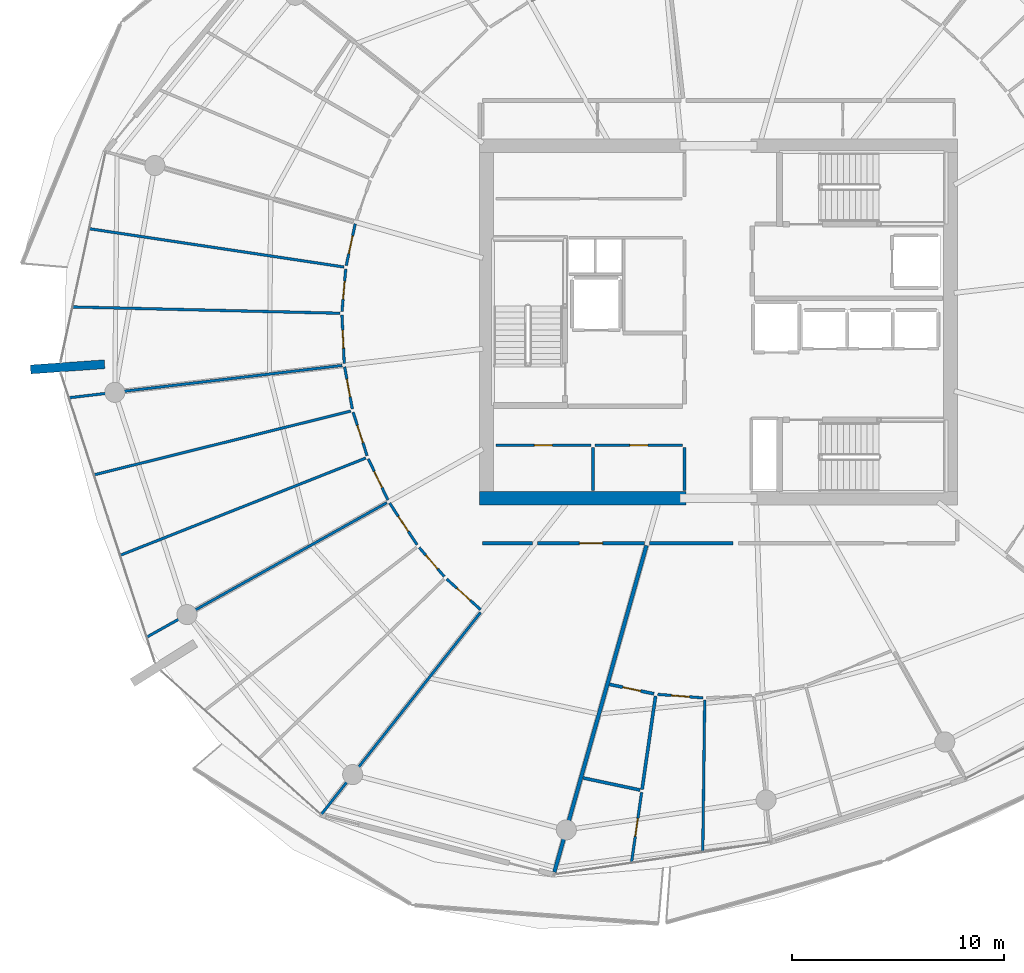
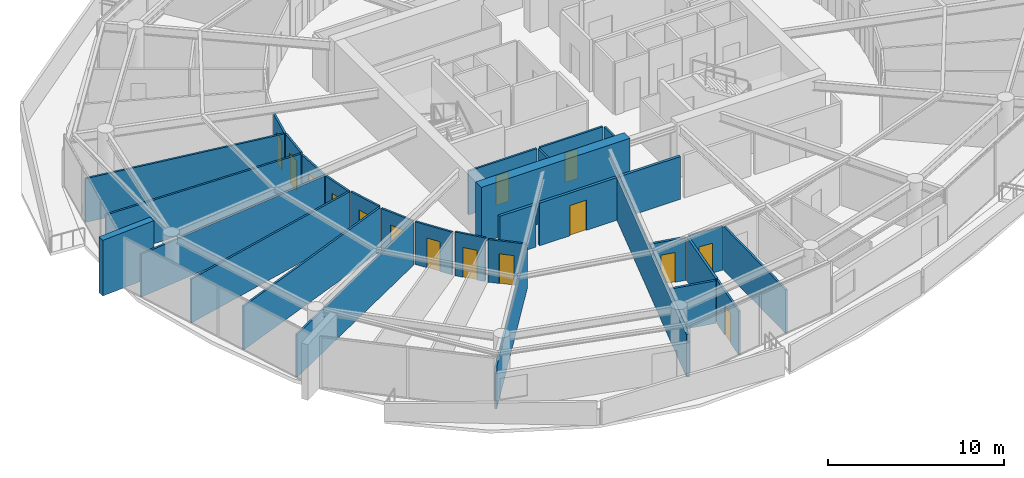
# One storey, part 18 of 30: 32 walls, 15 doors, 15 openings.
"""IFC4 building model written with IfcOpenShell, lengths in metres."""

from ifc_helpers import new_model, si_unit, direction, frame, frame_2d, origin, place, context, subcontext, project, spatial, rectangle, extrude, material, layer, layer_set, type_object, element, fill, save


model = new_model("IFC4")

# Units and contexts
model_context = context("Model", 3, precision=1e-05, world=origin(), true_north=direction((0.0, 1.0)))
body_context = subcontext(model_context, "Body", "Model", "MODEL_VIEW")
ifc_project = project(units=[si_unit("LENGTHUNIT", "METRE"), si_unit("AREAUNIT", "SQUARE_METRE"), si_unit("VOLUMEUNIT", "CUBIC_METRE"), si_unit("PLANEANGLEUNIT", "RADIAN"), si_unit("MASSUNIT", "GRAM", prefix="KILO")], contexts=[model_context])

# Site, building, storey
site_placement = place(None, origin())
site = spatial("IfcSite", under=ifc_project, at=site_placement, CompositionType="ELEMENT")
building_placement = place(site_placement, origin())
building = spatial("IfcBuilding", under=site, at=building_placement, Name="Kazma Halo Residences", CompositionType="ELEMENT")
storey_placement = place(building_placement, frame((0.0, 0.0, 267.5)))
storey = spatial("IfcBuildingStorey", under=building, at=storey_placement, Name="L67", CompositionType="ELEMENT", Elevation=267.5)

# Walls
ifc_material_1 = material(Name="Pale Concrete C60/75", Category="concrete")
ifc_layer_1 = layer(ifc_material_1, 0.419921875)
ifc_layer_set_1 = layer_set([ifc_layer_1], Name="Pale Concrete C60/75")
wall_type_1 = type_object("IfcWallType", Name="WL-BLADE-420", PredefinedType="SOLIDWALL", material=ifc_layer_set_1)
wall_1_placement = place(storey_placement, frame((19.4375, 40.002685546875, 0.0), z_axis=(0.0, 0.0, 1.0), x_axis=(-0.997563824095, -0.069759707979, 0.0)))
element("IfcWall", 1, at=wall_1_placement, inside=storey, type_object=wall_type_1, Name="L67 pale concrete structural blade fin wall BW-02", PredefinedType="SOLIDWALL", context=body_context, shape_type="SweptSolid", body=[
    extrude(rectangle(XDim=3.499755859375, YDim=0.419921875, at=frame_2d((1.75, 0.0))), origin(), (0.0, 0.0, 1.0), 3.85009765625),
])
ifc_material_2 = material(Name="Concrete C60/75", Category="concrete")
ifc_layer_2 = layer(ifc_material_2, 0.64990234375)
ifc_layer_set_2 = layer_set([ifc_layer_2], Name="Concrete C60/75")
wall_type_2 = type_object("IfcWallType", Name="WL-CORE-650", PredefinedType="SHEAR", material=ifc_layer_set_2)
wall_2_placement = place(storey_placement, frame((37.14990234375, 33.675048828125, 0.0), z_axis=(0.0, 0.0, 1.0), x_axis=(1.0, 0.0, 0.0)))
element("IfcWall", 2, at=wall_2_placement, inside=storey, type_object=wall_type_2, Name="L67 central core shear wall SW", PredefinedType="SHEAR", context=body_context, shape_type="SweptSolid", body=[
    extrude(rectangle(XDim=9.75, YDim=0.64990234375, at=frame_2d((4.875, 0.0))), origin(), (0.0, 0.0, 1.0), 3.85009765625),
])
ifc_material_3 = material(Name="Acoustic Twin-Stud Gypsum")
ifc_layer_3 = layer(ifc_material_3, 0.179931640625)
ifc_layer_set_3 = layer_set([ifc_layer_3], Name="Acoustic Twin-Stud Gypsum")
wall_type_3 = type_object("IfcWallType", Name="WL-DEM-180", PredefinedType="PARTITIONING", material=ifc_layer_set_3)
wall_3_placement = place(storey_placement, frame((45.02294921875, 31.444091796875, 0.0), z_axis=(0.0, 0.0, 1.0), x_axis=(-0.271442063103, -0.962454781472, 0.0)))
element("IfcWall", 3, at=wall_3_placement, inside=storey, type_object=wall_type_3, Name="L67 apartment demising radial wall 10", PredefinedType="PARTITIONING", context=body_context, shape_type="SweptSolid", body=[
    extrude(rectangle(XDim=16.016845703125, YDim=0.179931640625, at=frame_2d((8.00830078125, 0.0))), origin(), (0.0, 0.0, 1.0), 2.95703125),
])

# Wall, opening, door
wall_4_placement = place(storey_placement, frame((39.8818359375, 31.550048828125, 0.0), z_axis=(0.0, 0.0, 1.0), x_axis=(1.0, 0.0, 0.0)))
wall_4 = element("IfcWall", 4, at=wall_4_placement, inside=storey, type_object=wall_type_3, Name="L67 Apartment 1 entrance corridor wall", PredefinedType="PARTITIONING", context=body_context, shape_type="SweptSolid", body=[
    extrude(rectangle(XDim=5.051025390625, YDim=0.179931640625, at=frame_2d((2.525390625, 0.0))), origin(), (0.0, 0.0, 1.0), 2.95703125),
])
opening_1_placement = place(wall_4_placement, frame((1.975341796875, 0.0, 0.0)))
opening_1 = element("IfcOpeningElement", 5, at=opening_1_placement, cuts=wall_4, Name="Opening DA-1100", PredefinedType="OPENING", context=body_context, shape_type="SweptSolid", body=[
    extrude(rectangle(XDim=1.10009765625, YDim=2.10009765625, at=frame_2d((0.550048828125, 1.050048828125))), frame((0.0, 0.099853515625, 0.0), z_axis=(0.0, -1.0, 0.0), x_axis=(1.0, 0.0, 0.0)), (0.0, 0.0, 1.0), 0.199951171875),
])
ifc_material_4 = material(Name="Acoustic Walnut Fire Leaf")
door_type_1 = type_object("IfcDoorType", Name="DR-FD60-1100", OperationType="NOTDEFINED", PredefinedType="DOOR", material=ifc_material_4)
door_1_placement = place(opening_1_placement, origin())
door_1 = element("IfcDoor", 6, at=door_1_placement, inside=storey, type_object=door_type_1, Name="L67 Apartment 1 entrance fire door", OperationType="SINGLE_SWING_LEFT", OverallHeight=2.10009765625, OverallWidth=1.10009765625, PredefinedType="DOOR", context=body_context, shape_type="SweptSolid", body=[
    extrude(rectangle(XDim=1.10009765625, YDim=2.10009765625, at=frame_2d((0.550048828125, 1.050048828125))), frame((0.0, 0.02490234375, 0.0), z_axis=(0.0, -1.0, 0.0), x_axis=(1.0, 0.0, 0.0)), (0.0, 0.0, 1.0), 0.050048828125),
])
fill(opening_1, door_1)

# Walls
wall_5_placement = place(storey_placement, frame((37.27001953125, 31.550048828125, 0.0), z_axis=(0.0, 0.0, 1.0), x_axis=(1.0, 0.0, 0.0)))
element("IfcWall", 7, at=wall_5_placement, inside=storey, type_object=wall_type_3, Name="L67 Apartment 1 inner wall 8", PredefinedType="PARTITIONING", context=body_context, shape_type="SweptSolid", body=[
    extrude(rectangle(XDim=2.371826171875, YDim=0.179931640625, at=frame_2d((1.18603515625, 0.0))), origin(), (0.0, 0.0, 1.0), 2.95703125),
])
wall_6_placement = place(storey_placement, frame((45.1728515625, 31.550048828125, 0.0), z_axis=(0.0, 0.0, 1.0), x_axis=(1.0, 0.0, 0.0)))
element("IfcWall", 8, at=wall_6_placement, inside=storey, type_object=wall_type_3, Name="L67 Apartment 2 inner wall 10", PredefinedType="PARTITIONING", context=body_context, shape_type="SweptSolid", body=[
    extrude(rectangle(XDim=3.94384765625, YDim=0.179931640625, at=frame_2d((1.971923828125, 0.0))), origin(), (0.0, 0.0, 1.0), 2.95703125),
])
ifc_material_5 = material(Name="Gypsum Plasterboard Partition")
ifc_layer_4 = layer(ifc_material_5, 0.125)
ifc_layer_set_4 = layer_set([ifc_layer_4], Name="Gypsum Plasterboard Partition")
wall_type_4 = type_object("IfcWallType", Name="WL-PART-125", PredefinedType="PARTITIONING", material=ifc_layer_set_4)
for number, where, z_axis, x_axis, name in (
    (9, (46.820068359375, 34.050048828125, 0.0), (0.0, 0.0, 1.0), (0.0, 1.0, 0.0), "L67 reclaimed south east wall"),
    (10, (42.5, 34.050048828125, 0.0), (0.0, 0.0, 1.0), (0.0, 1.0, 0.0), "L67 reclaimed south divider wall"),
):
    element("IfcWall", number, at=place(storey_placement, frame(where, z_axis=z_axis, x_axis=x_axis)), inside=storey, type_object=wall_type_4, Name=name, PredefinedType="PARTITIONING", context=body_context, shape_type="SweptSolid", body=[
        extrude(rectangle(XDim=2.030029296875, YDim=0.125, at=frame_2d((1.01513671875, 0.0))), origin(), (0.0, 0.0, 1.0), 3.030029296875),
    ])

# Wall, opening, door
wall_7_placement = place(storey_placement, frame((37.919921875, 36.179931640625, 0.0), z_axis=(0.0, 0.0, 1.0), x_axis=(1.0, 0.0, 0.0)))
wall_7 = element("IfcWall", 11, at=wall_7_placement, inside=storey, type_object=wall_type_4, Name="L67 reclaimed south W front wall", PredefinedType="PARTITIONING", context=body_context, shape_type="SweptSolid", body=[
    extrude(rectangle(XDim=4.47998046875, YDim=0.125, at=frame_2d((2.239990234375, 0.0))), origin(), (0.0, 0.0, 1.0), 3.030029296875),
])
opening_2_placement = place(wall_7_placement, frame((1.81494140625, 0.0, 0.0)))
opening_2 = element("IfcOpeningElement", 12, at=opening_2_placement, cuts=wall_7, Name="Opening DS-850", PredefinedType="OPENING", context=body_context, shape_type="SweptSolid", body=[
    extrude(rectangle(XDim=0.85009765625, YDim=2.06005859375, at=frame_2d((0.425048828125, 1.030029296875))), frame((0.0, 0.072509765625, 0.0), z_axis=(0.0, -1.0, 0.0), x_axis=(1.0, 0.0, 0.0)), (0.0, 0.0, 1.0), 0.14501953125),
])
ifc_material_6 = material(Name="Painted Steel Access Leaf", Category="steel")
door_type_2 = type_object("IfcDoorType", Name="DR-SVC-850", OperationType="NOTDEFINED", PredefinedType="DOOR", material=ifc_material_6)
door_2_placement = place(opening_2_placement, origin())
door_2 = element("IfcDoor", 13, at=door_2_placement, inside=storey, type_object=door_type_2, Name="L67 reclaimed south W door", OperationType="SINGLE_SWING_RIGHT", OverallHeight=2.06005859375, OverallWidth=0.85009765625, PredefinedType="DOOR", context=body_context, shape_type="SweptSolid", body=[
    extrude(rectangle(XDim=0.85009765625, YDim=2.06005859375, at=frame_2d((0.425048828125, 1.030029296875))), frame((0.0, 0.02490234375, 0.0), z_axis=(0.0, -1.0, 0.0), x_axis=(1.0, 0.0, 0.0)), (0.0, 0.0, 1.0), 0.050048828125),
])
fill(opening_2, door_2)

wall_8_placement = place(storey_placement, frame((42.60009765625, 36.179931640625, 0.0), z_axis=(0.0, 0.0, 1.0), x_axis=(1.0, 0.0, 0.0)))
wall_8 = element("IfcWall", 14, at=wall_8_placement, inside=storey, type_object=wall_type_4, Name="L67 reclaimed south E front wall", PredefinedType="PARTITIONING", context=body_context, shape_type="SweptSolid", body=[
    extrude(rectangle(XDim=4.119873046875, YDim=0.125, at=frame_2d((2.06005859375, 0.0))), origin(), (0.0, 0.0, 1.0), 3.030029296875),
])
opening_3_placement = place(wall_8_placement, frame((1.635009765625, 0.0, 0.0)))
opening_3 = element("IfcOpeningElement", 15, at=opening_3_placement, cuts=wall_8, Name="Opening DS-850", PredefinedType="OPENING", context=body_context, shape_type="SweptSolid", body=[
    extrude(rectangle(XDim=0.85009765625, YDim=2.06005859375, at=frame_2d((0.425048828125, 1.030029296875))), frame((0.0, 0.072509765625, 0.0), z_axis=(0.0, -1.0, 0.0), x_axis=(1.0, 0.0, 0.0)), (0.0, 0.0, 1.0), 0.14501953125),
])
door_3_placement = place(opening_3_placement, origin())
door_3 = element("IfcDoor", 16, at=door_3_placement, inside=storey, type_object=door_type_2, Name="L67 reclaimed south E door", OperationType="SINGLE_SWING_LEFT", OverallHeight=2.06005859375, OverallWidth=0.85009765625, PredefinedType="DOOR", context=body_context, shape_type="SweptSolid", body=[
    extrude(rectangle(XDim=0.85009765625, YDim=2.06005859375, at=frame_2d((0.425048828125, 1.030029296875))), frame((0.0, 0.02490234375, 0.0), z_axis=(0.0, -1.0, 0.0), x_axis=(1.0, 0.0, 0.0)), (0.0, 0.0, 1.0), 0.050048828125),
])
fill(opening_3, door_3)

# Walls
wall_9_placement = place(storey_placement, frame((30.739990234375, 44.594970703125, 0.0), z_axis=(0.0, 0.0, 1.0), x_axis=(-0.988886285118, 0.148673854813, 0.0)))
element("IfcWall", 17, at=wall_9_placement, inside=storey, type_object=wall_type_4, Name="L67 Apartment 1 bay wall 1 6", PredefinedType="PARTITIONING", context=body_context, shape_type="SweptSolid", body=[
    extrude(rectangle(XDim=12.138671875, YDim=0.125, at=frame_2d((6.0693359375, 0.0))), origin(), (0.0, 0.0, 1.0), 3.030029296875),
])
wall_10_placement = place(storey_placement, frame((30.55078125, 42.4111328125, 0.0), z_axis=(0.0, 0.0, 1.0), x_axis=(-0.999722360085, 0.023562740626, 0.0)))
element("IfcWall", 18, at=wall_10_placement, inside=storey, type_object=wall_type_4, Name="L67 Apartment 1 bay wall 2 6", PredefinedType="PARTITIONING", context=body_context, shape_type="SweptSolid", body=[
    extrude(rectangle(XDim=12.609619140625, YDim=0.125, at=frame_2d((6.3046875, 0.0))), origin(), (0.0, 0.0, 1.0), 3.030029296875),
])

# Wall, opening, door
wall_11_placement = place(storey_placement, frame((31.27099609375, 46.635009765625, 0.0), z_axis=(0.0, 0.0, 1.0), x_axis=(-0.210477911791, -0.97759861326, 0.0)))
wall_11 = element("IfcWall", 19, at=wall_11_placement, inside=storey, type_object=wall_type_4, Name="L67 Apartment 1 Inner Bedroom hall wall", PredefinedType="PARTITIONING", context=body_context, shape_type="SweptSolid", body=[
    extrude(rectangle(XDim=2.0205078125, YDim=0.125, at=frame_2d((1.01025390625, 0.0))), origin(), (0.0, 0.0, 1.0), 2.95703125),
])
opening_4_placement = place(wall_11_placement, frame((0.585205078125, 0.0, 0.0)))
opening_4 = element("IfcOpeningElement", 20, at=opening_4_placement, cuts=wall_11, Name="Opening DB-900", PredefinedType="OPENING", context=body_context, shape_type="SweptSolid", body=[
    extrude(rectangle(XDim=0.85009765625, YDim=2.06005859375, at=frame_2d((0.425048828125, 1.030029296875))), frame((0.0, 0.072509765625, 0.0), z_axis=(0.0, -1.0, 0.0), x_axis=(1.0, 0.0, 0.0)), (0.0, 0.0, 1.0), 0.14501953125),
])
ifc_material_7 = material(Name="Moisture-Sealed Timber Leaf", Category="wood")
door_type_3 = type_object("IfcDoorType", Name="DR-BTH-900", OperationType="NOTDEFINED", PredefinedType="DOOR", material=ifc_material_7)
door_4_placement = place(opening_4_placement, origin())
door_4 = element("IfcDoor", 21, at=door_4_placement, inside=storey, type_object=door_type_3, Name="L67 Apartment 1 Inner Bedroom door", OperationType="SINGLE_SWING_LEFT", OverallHeight=2.06005859375, OverallWidth=0.85009765625, PredefinedType="DOOR", context=body_context, shape_type="SweptSolid", body=[
    extrude(rectangle(XDim=0.85009765625, YDim=2.06005859375, at=frame_2d((0.425048828125, 1.030029296875))), frame((0.0, 0.02490234375, 0.0), z_axis=(0.0, -1.0, 0.0), x_axis=(1.0, 0.0, 0.0)), (0.0, 0.0, 1.0), 0.050048828125),
])
fill(opening_4, door_4)

wall_12_placement = place(storey_placement, frame((30.822021484375, 44.501708984375, 0.0), z_axis=(0.0, 0.0, 1.0), x_axis=(-0.086275045339, -0.996271356886, 0.0)))
wall_12 = element("IfcWall", 22, at=wall_12_placement, inside=storey, type_object=wall_type_4, Name="L67 Apartment 1 Outer Dressing Wardrobe hall wall", PredefinedType="PARTITIONING", context=body_context, shape_type="SweptSolid", body=[
    extrude(rectangle(XDim=2.0205078125, YDim=0.125, at=frame_2d((1.01025390625, 0.0))), origin(), (0.0, 0.0, 1.0), 3.030029296875),
])
opening_5_placement = place(wall_12_placement, frame((0.585205078125, 0.0, 0.0)))
opening_5 = element("IfcOpeningElement", 23, at=opening_5_placement, cuts=wall_12, Name="Opening DB-900", PredefinedType="OPENING", context=body_context, shape_type="SweptSolid", body=[
    extrude(rectangle(XDim=0.85009765625, YDim=2.06005859375, at=frame_2d((0.425048828125, 1.030029296875))), frame((0.0, 0.072509765625, 0.0), z_axis=(0.0, -1.0, 0.0), x_axis=(1.0, 0.0, 0.0)), (0.0, 0.0, 1.0), 0.14501953125),
])
door_5_placement = place(opening_5_placement, origin())
door_5 = element("IfcDoor", 24, at=door_5_placement, inside=storey, type_object=door_type_3, Name="L67 Apartment 1 Outer Dressing Wardrobe door", OperationType="SINGLE_SWING_RIGHT", OverallHeight=2.06005859375, OverallWidth=0.85009765625, PredefinedType="DOOR", context=body_context, shape_type="SweptSolid", body=[
    extrude(rectangle(XDim=0.85009765625, YDim=2.06005859375, at=frame_2d((0.425048828125, 1.030029296875))), frame((0.0, 0.02490234375, 0.0), z_axis=(0.0, -1.0, 0.0), x_axis=(1.0, 0.0, 0.0)), (0.0, 0.0, 1.0), 0.050048828125),
])
fill(opening_5, door_5)

wall_13_placement = place(storey_placement, frame((30.64453125, 42.3291015625, 0.0), z_axis=(0.0, 0.0, 1.0), x_axis=(0.047175561804, -0.998886613369, 0.0)))
wall_13 = element("IfcWall", 25, at=wall_13_placement, inside=storey, type_object=wall_type_4, Name="L67 Apartment 1 Corner Master Bedroom hall wall", PredefinedType="PARTITIONING", context=body_context, shape_type="SweptSolid", body=[
    extrude(rectangle(XDim=2.29248046875, YDim=0.125, at=frame_2d((1.146240234375, 0.0))), origin(), (0.0, 0.0, 1.0), 2.95703125),
])
opening_6_placement = place(wall_13_placement, frame((0.721435546875, 0.0, 0.0)))
opening_6 = element("IfcOpeningElement", 26, at=opening_6_placement, cuts=wall_13, Name="Opening DB-900", PredefinedType="OPENING", context=body_context, shape_type="SweptSolid", body=[
    extrude(rectangle(XDim=0.85009765625, YDim=2.06005859375, at=frame_2d((0.425048828125, 1.030029296875))), frame((0.0, 0.072509765625, 0.0), z_axis=(0.0, -1.0, 0.0), x_axis=(1.0, 0.0, 0.0)), (0.0, 0.0, 1.0), 0.14501953125),
])
door_6_placement = place(opening_6_placement, origin())
door_6 = element("IfcDoor", 27, at=door_6_placement, inside=storey, type_object=door_type_3, Name="L67 Apartment 1 Corner Master Bedroom door", OperationType="SINGLE_SWING_LEFT", OverallHeight=2.06005859375, OverallWidth=0.85009765625, PredefinedType="DOOR", context=body_context, shape_type="SweptSolid", body=[
    extrude(rectangle(XDim=0.85009765625, YDim=2.06005859375, at=frame_2d((0.425048828125, 1.030029296875))), frame((0.0, 0.02490234375, 0.0), z_axis=(0.0, -1.0, 0.0), x_axis=(1.0, 0.0, 0.0)), (0.0, 0.0, 1.0), 0.050048828125),
])
fill(opening_6, door_6)

# Walls
wall_14_placement = place(storey_placement, frame((30.656982421875, 39.947265625, 0.0), z_axis=(0.0, 0.0, 1.0), x_axis=(-0.99306861519, -0.117536060525, 0.0)))
element("IfcWall", 28, at=wall_14_placement, inside=storey, type_object=wall_type_4, Name="L67 Apartment 1 radial partition 7", PredefinedType="PARTITIONING", context=body_context, shape_type="SweptSolid", body=[
    extrude(rectangle(XDim=12.965576171875, YDim=0.125, at=frame_2d((6.48291015625, 0.0))), origin(), (0.0, 0.0, 1.0), 2.95703125),
])
wall_15_placement = place(storey_placement, frame((31.060791015625, 37.792236328125, 0.0), z_axis=(0.0, 0.0, 1.0), x_axis=(-0.970505468857, -0.241079105105, 0.0)))
element("IfcWall", 29, at=wall_15_placement, inside=storey, type_object=wall_type_4, Name="L67 Apartment 1 bay wall 1 7", PredefinedType="PARTITIONING", context=body_context, shape_type="SweptSolid", body=[
    extrude(rectangle(XDim=12.46533203125, YDim=0.125, at=frame_2d((6.232666015625, 0.0))), origin(), (0.0, 0.0, 1.0), 3.030029296875),
])
wall_16_placement = place(storey_placement, frame((31.771728515625, 35.57470703125, 0.0), z_axis=(0.0, 0.0, 1.0), x_axis=(-0.929777389871, -0.368122269476, 0.0)))
element("IfcWall", 30, at=wall_16_placement, inside=storey, type_object=wall_type_4, Name="L67 Apartment 1 bay wall 2 7", PredefinedType="PARTITIONING", context=body_context, shape_type="SweptSolid", body=[
    extrude(rectangle(XDim=12.44970703125, YDim=0.125, at=frame_2d((6.224853515625, 0.0))), origin(), (0.0, 0.0, 1.0), 3.030029296875),
])

# Wall, opening, door
wall_17_placement = place(storey_placement, frame((30.770751953125, 39.88037109375, 0.0), z_axis=(0.0, 0.0, 1.0), x_axis=(0.17966153972, -0.983728484464, 0.0)))
wall_17 = element("IfcWall", 31, at=wall_17_placement, inside=storey, type_object=wall_type_4, Name="L67 Apartment 1 Garden Master Bedroom hall wall", PredefinedType="PARTITIONING", context=body_context, shape_type="SweptSolid", body=[
    extrude(rectangle(XDim=2.020751953125, YDim=0.125, at=frame_2d((1.01025390625, 0.0))), origin(), (0.0, 0.0, 1.0), 2.95703125),
])
opening_7_placement = place(wall_17_placement, frame((0.585205078125, 0.0, 0.0)))
opening_7 = element("IfcOpeningElement", 32, at=opening_7_placement, cuts=wall_17, Name="Opening DB-900", PredefinedType="OPENING", context=body_context, shape_type="SweptSolid", body=[
    extrude(rectangle(XDim=0.85009765625, YDim=2.06005859375, at=frame_2d((0.425048828125, 1.030029296875))), frame((0.0, 0.072509765625, 0.0), z_axis=(0.0, -1.0, 0.0), x_axis=(1.0, 0.0, 0.0)), (0.0, 0.0, 1.0), 0.14501953125),
])
door_7_placement = place(opening_7_placement, origin())
door_7 = element("IfcDoor", 33, at=door_7_placement, inside=storey, type_object=door_type_3, Name="L67 Apartment 1 Garden Master Bedroom door", OperationType="SINGLE_SWING_RIGHT", OverallHeight=2.06005859375, OverallWidth=0.85009765625, PredefinedType="DOOR", context=body_context, shape_type="SweptSolid", body=[
    extrude(rectangle(XDim=0.85009765625, YDim=2.06005859375, at=frame_2d((0.425048828125, 1.030029296875))), frame((0.0, 0.02490234375, 0.0), z_axis=(0.0, -1.0, 0.0), x_axis=(1.0, 0.0, 0.0)), (0.0, 0.0, 1.0), 0.050048828125),
])
fill(opening_7, door_7)

wall_18_placement = place(storey_placement, frame((31.172607421875, 37.73779296875, 0.0), z_axis=(0.0, 0.0, 1.0), x_axis=(0.305305543728, -0.952254443397, 0.0)))
wall_18 = element("IfcWall", 34, at=wall_18_placement, inside=storey, type_object=wall_type_4, Name="L67 Apartment 1 Sky Dressing Wardrobe hall wall", PredefinedType="PARTITIONING", context=body_context, shape_type="SweptSolid", body=[
    extrude(rectangle(XDim=2.15673828125, YDim=0.125, at=frame_2d((1.078369140625, 0.0))), origin(), (0.0, 0.0, 1.0), 3.030029296875),
])
opening_8_placement = place(wall_18_placement, frame((0.6533203125, 0.0, 0.0)))
opening_8 = element("IfcOpeningElement", 35, at=opening_8_placement, cuts=wall_18, Name="Opening DB-900", PredefinedType="OPENING", context=body_context, shape_type="SweptSolid", body=[
    extrude(rectangle(XDim=0.85009765625, YDim=2.06005859375, at=frame_2d((0.425048828125, 1.030029296875))), frame((0.0, 0.072509765625, 0.0), z_axis=(0.0, -1.0, 0.0), x_axis=(1.0, 0.0, 0.0)), (0.0, 0.0, 1.0), 0.14501953125),
])
door_8_placement = place(opening_8_placement, origin())
door_8 = element("IfcDoor", 36, at=door_8_placement, inside=storey, type_object=door_type_3, Name="L67 Apartment 1 Sky Dressing Wardrobe door", OperationType="SINGLE_SWING_LEFT", OverallHeight=2.06005859375, OverallWidth=0.85009765625, PredefinedType="DOOR", context=body_context, shape_type="SweptSolid", body=[
    extrude(rectangle(XDim=0.85009765625, YDim=2.06005859375, at=frame_2d((0.425048828125, 1.030029296875))), frame((0.0, 0.02490234375, 0.0), z_axis=(0.0, -1.0, 0.0), x_axis=(1.0, 0.0, 0.0)), (0.0, 0.0, 1.0), 0.050048828125),
])
fill(opening_8, door_8)

wall_19_placement = place(storey_placement, frame((31.8896484375, 35.53564453125, 0.0), z_axis=(0.0, 0.0, 1.0), x_axis=(0.429375439277, -0.90312608873, 0.0)))
wall_19 = element("IfcWall", 37, at=wall_19_placement, inside=storey, type_object=wall_type_4, Name="L67 Apartment 1 Gulf Master Bedroom hall wall", PredefinedType="PARTITIONING", context=body_context, shape_type="SweptSolid", body=[
    extrude(rectangle(XDim=2.15673828125, YDim=0.125, at=frame_2d((1.078369140625, 0.0))), origin(), (0.0, 0.0, 1.0), 2.95703125),
])
opening_9_placement = place(wall_19_placement, frame((0.6533203125, 0.0, 0.0)))
opening_9 = element("IfcOpeningElement", 38, at=opening_9_placement, cuts=wall_19, Name="Opening DB-900", PredefinedType="OPENING", context=body_context, shape_type="SweptSolid", body=[
    extrude(rectangle(XDim=0.85009765625, YDim=2.06005859375, at=frame_2d((0.425048828125, 1.030029296875))), frame((0.0, 0.072509765625, 0.0), z_axis=(0.0, -1.0, 0.0), x_axis=(1.0, 0.0, 0.0)), (0.0, 0.0, 1.0), 0.14501953125),
])
door_9_placement = place(opening_9_placement, origin())
door_9 = element("IfcDoor", 39, at=door_9_placement, inside=storey, type_object=door_type_3, Name="L67 Apartment 1 Gulf Master Bedroom door", OperationType="SINGLE_SWING_RIGHT", OverallHeight=2.06005859375, OverallWidth=0.85009765625, PredefinedType="DOOR", context=body_context, shape_type="SweptSolid", body=[
    extrude(rectangle(XDim=0.85009765625, YDim=2.06005859375, at=frame_2d((0.425048828125, 1.030029296875))), frame((0.0, 0.02490234375, 0.0), z_axis=(0.0, -1.0, 0.0), x_axis=(1.0, 0.0, 0.0)), (0.0, 0.0, 1.0), 0.050048828125),
])
fill(opening_9, door_9)

# Walls
wall_20_placement = place(storey_placement, frame((32.7626953125, 33.466796875, 0.0), z_axis=(0.0, 0.0, 1.0), x_axis=(-0.872491245389, -0.488629743997, 0.0)))
element("IfcWall", 40, at=wall_20_placement, inside=storey, type_object=wall_type_4, Name="L67 Apartment 1 radial partition 8", PredefinedType="PARTITIONING", context=body_context, shape_type="SweptSolid", body=[
    extrude(rectangle(XDim=12.9658203125, YDim=0.125, at=frame_2d((6.48291015625, 0.0))), origin(), (0.0, 0.0, 1.0), 2.95703125),
])
wall_21_placement = place(storey_placement, frame((37.188232421875, 28.285400390625, 0.0), z_axis=(0.0, 0.0, 1.0), x_axis=(-0.619093440174, -0.785317332251, 0.0)))
element("IfcWall", 41, at=wall_21_placement, inside=storey, type_object=wall_type_4, Name="L67 Apartment 1 living radial partition 8", PredefinedType="PARTITIONING", context=body_context, shape_type="SweptSolid", body=[
    extrude(rectangle(XDim=12.1318359375, YDim=0.125, at=frame_2d((6.06591796875, 0.0))), origin(), (0.0, 0.0, 1.0), 2.95703125),
])

# Wall, opening, door
wall_22_placement = place(storey_placement, frame((32.89404296875, 33.44873046875, 0.0), z_axis=(0.0, 0.0, 1.0), x_axis=(0.550708208441, -0.834697831048, 0.0)))
wall_22 = element("IfcWall", 42, at=wall_22_placement, inside=storey, type_object=wall_type_4, Name="L67 Apartment 1 Primary Master Bedroom hall wall", PredefinedType="PARTITIONING", context=body_context, shape_type="SweptSolid", body=[
    extrude(rectangle(XDim=2.360595703125, YDim=0.125, at=frame_2d((1.18017578125, 0.0))), origin(), (0.0, 0.0, 1.0), 2.95703125),
])
opening_10_placement = place(wall_22_placement, frame((0.75537109375, 0.0, 0.0)))
opening_10 = element("IfcOpeningElement", 43, at=opening_10_placement, cuts=wall_22, Name="Opening DB-900", PredefinedType="OPENING", context=body_context, shape_type="SweptSolid", body=[
    extrude(rectangle(XDim=0.85009765625, YDim=2.06005859375, at=frame_2d((0.425048828125, 1.030029296875))), frame((0.0, 0.072509765625, 0.0), z_axis=(0.0, -1.0, 0.0), x_axis=(1.0, 0.0, 0.0)), (0.0, 0.0, 1.0), 0.14501953125),
])
door_10_placement = place(opening_10_placement, origin())
door_10 = element("IfcDoor", 44, at=door_10_placement, inside=storey, type_object=door_type_3, Name="L67 Apartment 1 Primary Master Bedroom door", OperationType="SINGLE_SWING_LEFT", OverallHeight=2.06005859375, OverallWidth=0.85009765625, PredefinedType="DOOR", context=body_context, shape_type="SweptSolid", body=[
    extrude(rectangle(XDim=0.85009765625, YDim=2.06005859375, at=frame_2d((0.425048828125, 1.030029296875))), frame((0.0, 0.02490234375, 0.0), z_axis=(0.0, -1.0, 0.0), x_axis=(1.0, 0.0, 0.0)), (0.0, 0.0, 1.0), 0.050048828125),
])
fill(opening_10, door_10)

wall_23_placement = place(storey_placement, frame((34.290283203125, 31.350830078125, 0.0), z_axis=(0.0, 0.0, 1.0), x_axis=(0.654039701977, -0.756460222509, 0.0)))
wall_23 = element("IfcWall", 45, at=wall_23_placement, inside=storey, type_object=wall_type_4, Name="L67 Apartment 1 Secondary Study hall wall", PredefinedType="PARTITIONING", context=body_context, shape_type="SweptSolid", body=[
    extrude(rectangle(XDim=1.81640625, YDim=0.125, at=frame_2d((0.908203125, 0.0))), origin(), (0.0, 0.0, 1.0), 3.030029296875),
])
opening_11_placement = place(wall_23_placement, frame((0.483154296875, 0.0, 0.0)))
opening_11 = element("IfcOpeningElement", 46, at=opening_11_placement, cuts=wall_23, Name="Opening DB-900", PredefinedType="OPENING", context=body_context, shape_type="SweptSolid", body=[
    extrude(rectangle(XDim=0.85009765625, YDim=2.06005859375, at=frame_2d((0.425048828125, 1.030029296875))), frame((0.0, 0.072509765625, 0.0), z_axis=(0.0, -1.0, 0.0), x_axis=(1.0, 0.0, 0.0)), (0.0, 0.0, 1.0), 0.14501953125),
])
door_11_placement = place(opening_11_placement, origin())
door_11 = element("IfcDoor", 47, at=door_11_placement, inside=storey, type_object=door_type_3, Name="L67 Apartment 1 Secondary Study door", OperationType="SINGLE_SWING_RIGHT", OverallHeight=2.06005859375, OverallWidth=0.85009765625, PredefinedType="DOOR", context=body_context, shape_type="SweptSolid", body=[
    extrude(rectangle(XDim=0.85009765625, YDim=2.06005859375, at=frame_2d((0.425048828125, 1.030029296875))), frame((0.0, 0.02490234375, 0.0), z_axis=(0.0, -1.0, 0.0), x_axis=(1.0, 0.0, 0.0)), (0.0, 0.0, 1.0), 0.050048828125),
])
fill(opening_11, door_11)

wall_24_placement = place(storey_placement, frame((35.58984375, 29.862548828125, 0.0), z_axis=(0.0, 0.0, 1.0), x_axis=(0.74229697692, -0.670071039559, 0.0)))
wall_24 = element("IfcWall", 48, at=wall_24_placement, inside=storey, type_object=wall_type_4, Name="L67 Apartment 1 East Master Bedroom hall wall", PredefinedType="PARTITIONING", context=body_context, shape_type="SweptSolid", body=[
    extrude(rectangle(XDim=2.156494140625, YDim=0.125, at=frame_2d((1.078125, 0.0))), origin(), (0.0, 0.0, 1.0), 2.95703125),
])
opening_12_placement = place(wall_24_placement, frame((0.6533203125, 0.0, 0.0)))
opening_12 = element("IfcOpeningElement", 49, at=opening_12_placement, cuts=wall_24, Name="Opening DB-900", PredefinedType="OPENING", context=body_context, shape_type="SweptSolid", body=[
    extrude(rectangle(XDim=0.85009765625, YDim=2.06005859375, at=frame_2d((0.425048828125, 1.030029296875))), frame((0.0, 0.072509765625, 0.0), z_axis=(0.0, -1.0, 0.0), x_axis=(1.0, 0.0, 0.0)), (0.0, 0.0, 1.0), 0.14501953125),
])
door_12_placement = place(opening_12_placement, origin())
door_12 = element("IfcDoor", 50, at=door_12_placement, inside=storey, type_object=door_type_3, Name="L67 Apartment 1 East Master Bedroom door", OperationType="SINGLE_SWING_LEFT", OverallHeight=2.06005859375, OverallWidth=0.85009765625, PredefinedType="DOOR", context=body_context, shape_type="SweptSolid", body=[
    extrude(rectangle(XDim=0.85009765625, YDim=2.06005859375, at=frame_2d((0.425048828125, 1.030029296875))), frame((0.0, 0.02490234375, 0.0), z_axis=(0.0, -1.0, 0.0), x_axis=(1.0, 0.0, 0.0)), (0.0, 0.0, 1.0), 0.050048828125),
])
fill(opening_12, door_12)

wall_25_placement = place(storey_placement, frame((44.794921875, 19.793212890625, 0.0), z_axis=(0.0, 0.0, 1.0), x_axis=(-0.142812082151, -0.989749821516, 0.0)))
wall_25 = element("IfcWall", 51, at=wall_25_placement, inside=storey, type_object=wall_type_4, Name="L67 Apartment 2 Household Store Room partition wall", PredefinedType="PARTITIONING", context=body_context, shape_type="SweptSolid", body=[
    extrude(rectangle(XDim=3.342041015625, YDim=0.125, at=frame_2d((1.6708984375, 0.0))), origin(), (0.0, 0.0, 1.0), 3.030029296875),
])
opening_13_placement = place(wall_25_placement, frame((1.24609375, 0.0, 0.0)))
opening_13 = element("IfcOpeningElement", 52, at=opening_13_placement, cuts=wall_25, Name="Opening DB-900", PredefinedType="OPENING", context=body_context, shape_type="SweptSolid", body=[
    extrude(rectangle(XDim=0.85009765625, YDim=2.06005859375, at=frame_2d((0.425048828125, 1.030029296875))), frame((0.0, 0.072509765625, 0.0), z_axis=(0.0, -1.0, 0.0), x_axis=(1.0, 0.0, 0.0)), (0.0, 0.0, 1.0), 0.14501953125),
])
door_13_placement = place(opening_13_placement, origin())
door_13 = element("IfcDoor", 53, at=door_13_placement, inside=storey, type_object=door_type_3, Name="L67 Apartment 2 Household Store Room door", OperationType="SINGLE_SWING_LEFT", OverallHeight=2.06005859375, OverallWidth=0.85009765625, PredefinedType="DOOR", context=body_context, shape_type="SweptSolid", body=[
    extrude(rectangle(XDim=0.85009765625, YDim=2.06005859375, at=frame_2d((0.425048828125, 1.030029296875))), frame((0.0, 0.02490234375, 0.0), z_axis=(0.0, -1.0, 0.0), x_axis=(1.0, 0.0, 0.0)), (0.0, 0.0, 1.0), 0.050048828125),
])
fill(opening_13, door_13)

# Wall
wall_26_placement = place(storey_placement, frame((47.772216796875, 24.154296875, 0.0), z_axis=(0.0, 0.0, 1.0), x_axis=(-0.012746936198, -0.999918754508, 0.0)))
element("IfcWall", 54, at=wall_26_placement, inside=storey, type_object=wall_type_4, Name="L67 Apartment 2 suite divider 10", PredefinedType="PARTITIONING", context=body_context, shape_type="SweptSolid", body=[
    extrude(rectangle(XDim=7.1630859375, YDim=0.125, at=frame_2d((3.58154296875, 0.0))), origin(), (0.0, 0.0, 1.0), 3.030029296875),
])

# Wall, opening, door
wall_27_placement = place(storey_placement, frame((45.55322265625, 24.418212890625, 0.0), z_axis=(0.0, 0.0, 1.0), x_axis=(0.99694376357, -0.078122546546, 0.0)))
wall_27 = element("IfcWall", 55, at=wall_27_placement, inside=storey, type_object=wall_type_4, Name="L67 Apartment 2 Gourmet Kitchen hall wall", PredefinedType="PARTITIONING", context=body_context, shape_type="SweptSolid", body=[
    extrude(rectangle(XDim=2.14697265625, YDim=0.125, at=frame_2d((1.073486328125, 0.0))), origin(), (0.0, 0.0, 1.0), 3.030029296875),
])
opening_14_placement = place(wall_27_placement, frame((0.6484375, 0.0, 0.0)))
opening_14 = element("IfcOpeningElement", 56, at=opening_14_placement, cuts=wall_27, Name="Opening DB-900", PredefinedType="OPENING", context=body_context, shape_type="SweptSolid", body=[
    extrude(rectangle(XDim=0.85009765625, YDim=2.06005859375, at=frame_2d((0.425048828125, 1.030029296875))), frame((0.0, 0.072509765625, 0.0), z_axis=(0.0, -1.0, 0.0), x_axis=(1.0, 0.0, 0.0)), (0.0, 0.0, 1.0), 0.14501953125),
])
door_14_placement = place(opening_14_placement, origin())
door_14 = element("IfcDoor", 57, at=door_14_placement, inside=storey, type_object=door_type_3, Name="L67 Apartment 2 Gourmet Kitchen door", OperationType="SINGLE_SWING_RIGHT", OverallHeight=2.06005859375, OverallWidth=0.85009765625, PredefinedType="DOOR", context=body_context, shape_type="SweptSolid", body=[
    extrude(rectangle(XDim=0.85009765625, YDim=2.06005859375, at=frame_2d((0.425048828125, 1.030029296875))), frame((0.0, 0.02490234375, 0.0), z_axis=(0.0, -1.0, 0.0), x_axis=(1.0, 0.0, 0.0)), (0.0, 0.0, 1.0), 0.050048828125),
])
fill(opening_14, door_14)

ifc_material_8 = material(Name="Moisture-Resistant Gypsum")
ifc_layer_5 = layer(ifc_material_8, 0.14990234375)
ifc_layer_set_5 = layer_set([ifc_layer_5], Name="Moisture-Resistant Gypsum")
wall_type_5 = type_object("IfcWallType", Name="WL-WET-150", PredefinedType="PARTITIONING", material=ifc_layer_set_5)
wall_28_placement = place(storey_placement, frame((43.27783203125, 24.888916015625, 0.0), z_axis=(0.0, 0.0, 1.0), x_axis=(0.978223618973, -0.207553731074, 0.0)))
wall_28 = element("IfcWall", 58, at=wall_28_placement, inside=storey, type_object=wall_type_5, Name="L67 Apartment 2 Guest Bathroom hall wall", PredefinedType="PARTITIONING", context=body_context, shape_type="SweptSolid", body=[
    extrude(rectangle(XDim=2.144287109375, YDim=0.14990234375, at=frame_2d((1.072265625, 0.0))), origin(), (0.0, 0.0, 1.0), 2.95703125),
])
opening_15_placement = place(wall_28_placement, frame((0.647216796875, 0.0, 0.0)))
opening_15 = element("IfcOpeningElement", 59, at=opening_15_placement, cuts=wall_28, Name="Opening DB-900", PredefinedType="OPENING", context=body_context, shape_type="SweptSolid", body=[
    extrude(rectangle(XDim=0.85009765625, YDim=2.06005859375, at=frame_2d((0.425048828125, 1.030029296875))), frame((0.0, 0.0849609375, 0.0), z_axis=(0.0, -1.0, 0.0), x_axis=(1.0, 0.0, 0.0)), (0.0, 0.0, 1.0), 0.169921875),
])
door_15_placement = place(opening_15_placement, origin())
door_15 = element("IfcDoor", 60, at=door_15_placement, inside=storey, type_object=door_type_3, Name="L67 Apartment 2 Guest Bathroom door", OperationType="SINGLE_SWING_RIGHT", OverallHeight=2.06005859375, OverallWidth=0.85009765625, PredefinedType="DOOR", context=body_context, shape_type="SweptSolid", body=[
    extrude(rectangle(XDim=0.85009765625, YDim=2.06005859375, at=frame_2d((0.425048828125, 1.030029296875))), frame((0.0, 0.02490234375, 0.0), z_axis=(0.0, -1.0, 0.0), x_axis=(1.0, 0.0, 0.0)), (0.0, 0.0, 1.0), 0.050048828125),
])
fill(opening_15, door_15)

# Walls
wall_29_placement = place(storey_placement, frame((42.031982421875, 20.47119140625, 0.0), z_axis=(0.0, 0.0, 1.0), x_axis=(0.978220458767, -0.207568624914, 0.0)))
element("IfcWall", 61, at=wall_29_placement, inside=storey, type_object=wall_type_5, Name="L67 Apartment 2 Guest Bathroom back wall", PredefinedType="PARTITIONING", context=body_context, shape_type="SweptSolid", body=[
    extrude(rectangle(XDim=2.74755859375, YDim=0.14990234375, at=frame_2d((1.373779296875, 0.0))), origin(), (0.0, 0.0, 1.0), 2.95703125),
])
wall_30_placement = place(storey_placement, frame((45.45068359375, 24.3359375, 0.0), z_axis=(0.0, 0.0, 1.0), x_axis=(-0.142877347864, -0.989740402059, 0.0)))
element("IfcWall", 62, at=wall_30_placement, inside=storey, type_object=wall_type_5, Name="L67 Apartment 2 Guest Bathroom side wall", PredefinedType="PARTITIONING", context=body_context, shape_type="SweptSolid", body=[
    extrude(rectangle(XDim=4.459716796875, YDim=0.14990234375, at=frame_2d((2.22998046875, 0.0))), origin(), (0.0, 0.0, 1.0), 3.030029296875),
])

save(model, "model.ifc")
